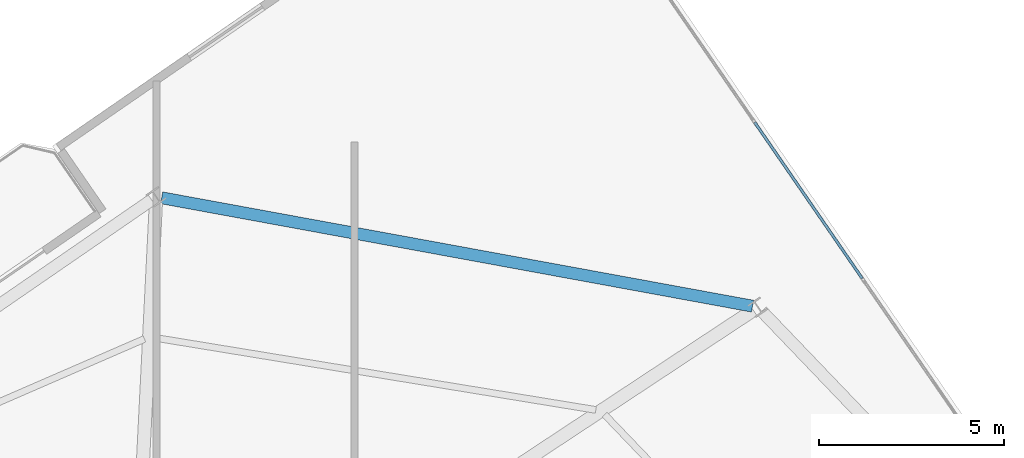
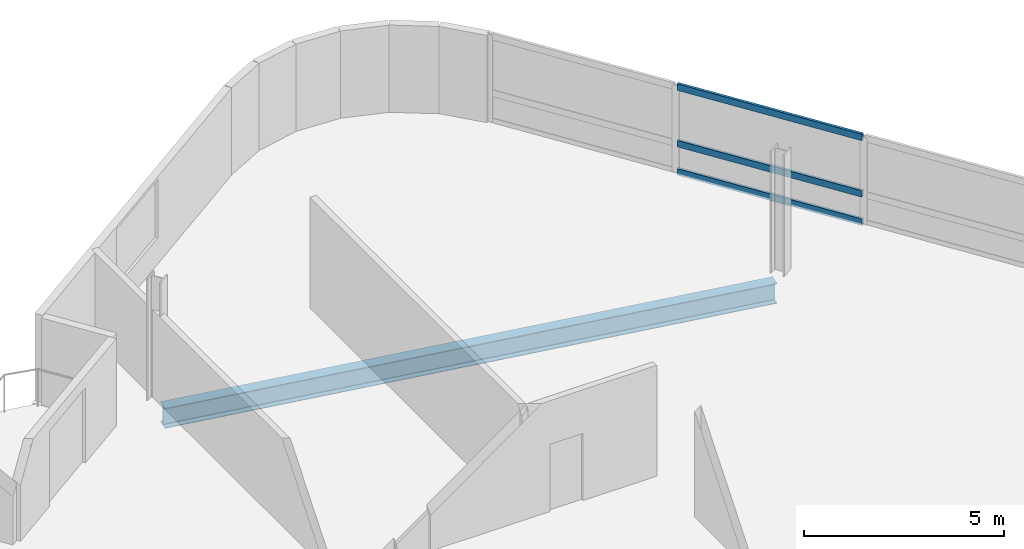
# One storey, part 10 of 23: 3 members, 1 beam, 1 element without a shape of its own.
"""IFC4 building model written with IfcOpenShell, lengths in metres."""

from ifc_helpers import new_model, si_unit, direction, frame, origin, origin_2d, place, context, subcontext, project, spatial, hollow_rectangle, i_section, extrude, material, layer, layer_set, material_profile, profile_set, type_object, element, aggregate, save


model = new_model("IFC4")

# Units and contexts
model_context = context("Model", 3, precision=1e-05, world=origin(), true_north=direction((0.0, 1.0)))
body_context = subcontext(model_context, "Body", "Model", "MODEL_VIEW")
ifc_project = project(units=[si_unit("LENGTHUNIT", "METRE"), si_unit("AREAUNIT", "SQUARE_METRE"), si_unit("VOLUMEUNIT", "CUBIC_METRE"), si_unit("PLANEANGLEUNIT", "RADIAN"), si_unit("MASSUNIT", "GRAM", prefix="KILO")], contexts=[model_context])

# Site, building, storey
site_placement = place(None, origin())
site = spatial("IfcSite", under=ifc_project, at=site_placement, CompositionType="ELEMENT")
building_placement = place(site_placement, origin())
building = spatial("IfcBuilding", under=site, at=building_placement, Name="Varnelok Gate Tower", CompositionType="ELEMENT")
storey_placement = place(building_placement, frame((0.0, 0.0, 287.800048828125)))
storey = spatial("IfcBuildingStorey", under=building, at=storey_placement, Name="L74", CompositionType="ELEMENT", Elevation=287.800048828125)

# Beam
ifc_material_1 = material(Name="Structural Steel ASTM A992 Grade 50", Category="steel")
ifc_material_profile_1 = material_profile(ifc_material_1, i_section(OverallWidth=0.323974609375, OverallDepth=0.611083984375, WebThickness=0.0126953125, FlangeThickness=0.01904296875, FilletRadius=0.01806640625, at=origin_2d()), Name="W24X104")
ifc_profile_set_1 = profile_set([ifc_material_profile_1], Name="Structural Steel ASTM A992 Grade 50")
beam_type = type_object("IfcBeamType", Name="BM-SPN-W24X104", PredefinedType="SPANDREL", material=ifc_profile_set_1)
beam_placement = place(storey_placement, frame((60.406005859375, 47.564453125, -0.5556640625), z_axis=(-0.98359926462, 0.180367642995, 0.0), x_axis=(-0.180367642995, -0.98359926462, 0.0)))
element("IfcBeam", 1, at=beam_placement, inside=storey, type_object=beam_type, Name="L74 Perimeter Spandrel Beam 8", PredefinedType="SPANDREL", context=body_context, shape_type="SweptSolid", body=[
    extrude(i_section(OverallWidth=0.323974609375, OverallDepth=0.611083984375, WebThickness=0.0126953125, FlangeThickness=0.01904296875, FilletRadius=0.01806640625, at=origin_2d()), origin(), (0.0, 0.0, 1.0), 16.23193359375),
])

# Curtain wall, members
ifc_material_2 = material(Name="Anodized Aluminum Alloy 6063-T6", Category="aluminium")
ifc_layer = layer(ifc_material_2, 0.179931640625)
ifc_layer_set = layer_set([ifc_layer], Name="Anodized Aluminum Alloy 6063-T6")
curtain_wall_type = type_object("IfcCurtainWallType", Name="CW6-CROWN-LOOKOUT", PredefinedType="USERDEFINED", material=ifc_layer_set)
curtain_wall_placement = place(storey_placement, origin())
curtain_wall = element("IfcCurtainWall", 2, at=curtain_wall_placement, inside=storey, type_object=curtain_wall_type, Name="L74 East End Vision Curtain Wall", ObjectType="STRUCTURAL GLAZING", PredefinedType="USERDEFINED")
ifc_material_profile_2 = material_profile(ifc_material_2, hollow_rectangle(XDim=0.074951171875, YDim=0.199951171875, WallThickness=0.00390625, at=origin_2d()), Name="ALU200X75X4")
ifc_profile_set_2 = profile_set([ifc_material_profile_2], Name="Anodized Aluminum Alloy 6063-T6")
member_type = type_object("IfcMemberType", Name="CW-TRAN-200", PredefinedType="USERDEFINED", material=ifc_profile_set_2)
member_1_placement = place(storey_placement, frame((60.46533203125, 52.531005859375, 0.037353515625), z_axis=(0.567278672654, -0.823525899746, 0.0), x_axis=(0.823525899746, 0.567278672654, 0.0)))
member_1 = element("IfcMember", 3, at=member_1_placement, type_object=member_type, Name="CW6 transom 2.1", ObjectType="TRANSOM", PredefinedType="USERDEFINED", context=body_context, shape_type="SweptSolid", body=[
    extrude(hollow_rectangle(XDim=0.074951171875, YDim=0.199951171875, WallThickness=0.00390625, at=origin_2d()), origin(), (0.0, 0.0, 1.0), 5.124755859375),
])
member_2_placement = place(storey_placement, frame((60.46533203125, 52.531005859375, 0.89990234375), z_axis=(0.567278672654, -0.823525899746, 0.0), x_axis=(0.823525899746, 0.567278672654, 0.0)))
member_2 = element("IfcMember", 4, at=member_2_placement, type_object=member_type, Name="CW6 transom 2.2", ObjectType="TRANSOM", PredefinedType="USERDEFINED", context=body_context, shape_type="SweptSolid", body=[
    extrude(hollow_rectangle(XDim=0.074951171875, YDim=0.199951171875, WallThickness=0.00390625, at=origin_2d()), origin(), (0.0, 0.0, 1.0), 5.124755859375),
])
member_3_placement = place(storey_placement, frame((60.46533203125, 52.531005859375, 2.62255859375), z_axis=(0.567278672654, -0.823525899746, 0.0), x_axis=(0.823525899746, 0.567278672654, 0.0)))
member_3 = element("IfcMember", 5, at=member_3_placement, type_object=member_type, Name="CW6 transom 2.3", ObjectType="TRANSOM", PredefinedType="USERDEFINED", context=body_context, shape_type="SweptSolid", body=[
    extrude(hollow_rectangle(XDim=0.074951171875, YDim=0.199951171875, WallThickness=0.00390625, at=origin_2d()), origin(), (0.0, 0.0, 1.0), 5.124755859375),
])
aggregate(curtain_wall, [member_1, member_2, member_3])

save(model, "model.ifc")
